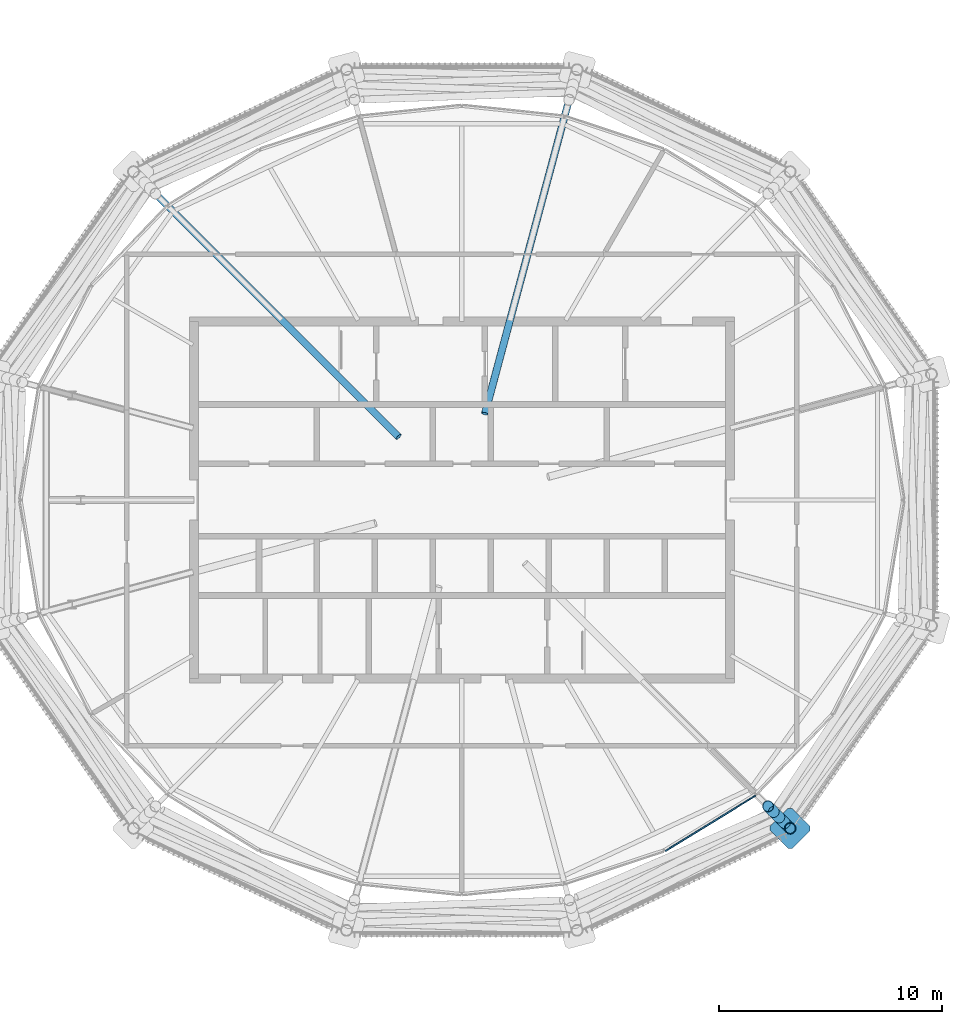
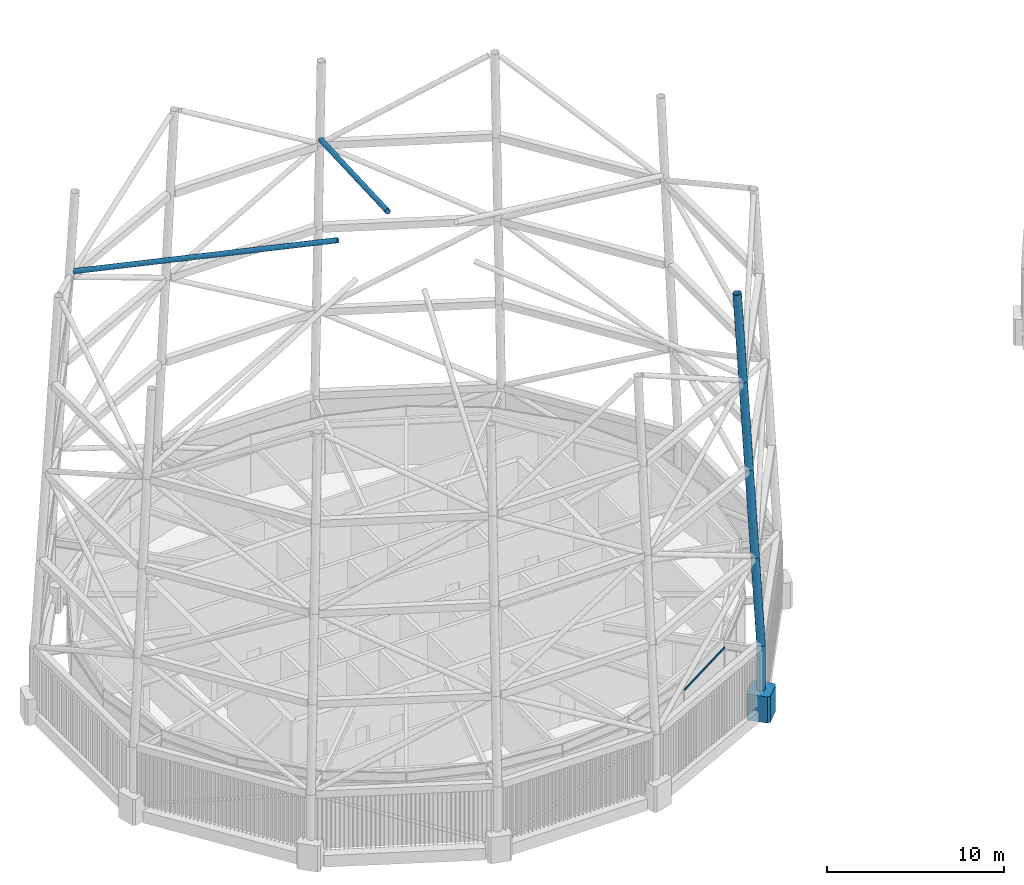
# One storey, part 18 of 71: 9 members, 1 element without a shape of its own.
"""IFC4 building model written with IfcOpenShell, lengths in metres."""

from ifc_helpers import new_model, si_unit, direction, frame, origin, origin_2d, place, context, subcontext, project, spatial, polyline, rectangle, hollow_circle, outline, extrude, material, material_profile, profile_set, type_object, element, aggregate, save


model = new_model("IFC4")

# Units and contexts
model_context = context("Model", 3, precision=1e-05, world=origin(), true_north=direction((0.0, 1.0)))
body_context = subcontext(model_context, "Body", "Model", "MODEL_VIEW")
ifc_project = project(units=[si_unit("LENGTHUNIT", "METRE"), si_unit("AREAUNIT", "SQUARE_METRE"), si_unit("VOLUMEUNIT", "CUBIC_METRE"), si_unit("PLANEANGLEUNIT", "RADIAN"), si_unit("MASSUNIT", "GRAM", prefix="KILO")], contexts=[model_context])

# Site, building, storey
site_placement = place(None, origin())
site = spatial("IfcSite", under=ifc_project, at=site_placement, CompositionType="ELEMENT")
building_placement = place(site_placement, origin())
building = spatial("IfcBuilding", under=site, at=building_placement, Name="Rimbun Link Towers", CompositionType="ELEMENT")
storey_placement = place(building_placement, frame((0.0, 0.0, 267.60009765625)))
storey = spatial("IfcBuildingStorey", under=building, at=storey_placement, Name="L65", CompositionType="ELEMENT", Elevation=267.60009765625)

# Curtain wall, member
ifc_material_1 = material(Name="Aluminium 6063-T6 louvre wall", Category="aluminium")
curtain_wall_type = type_object("IfcCurtainWallType", Name="CW6 plant floor louvre wall", PredefinedType="NOTDEFINED", material=ifc_material_1)
curtain_wall_placement = place(storey_placement, origin())
curtain_wall = element("IfcCurtainWall", 1, at=curtain_wall_placement, inside=storey, type_object=curtain_wall_type, Name="CW6 L65 T1", PredefinedType="NOTDEFINED")
ifc_material_2 = material(Name="Aluminium 6063-T6", Category="aluminium")
ifc_material_profile_1 = material_profile(ifc_material_2, rectangle(XDim=0.06005859375, YDim=0.1201171875, at=origin_2d()), Name="TRANSOM 60X120")
ifc_profile_set_1 = profile_set([ifc_material_profile_1], Name="Aluminium 6063-T6")
member_type_1 = type_object("IfcMemberType", Name="CW6 transom 60X120", PredefinedType="USERDEFINED", material=ifc_profile_set_1)
member_1_placement = place(storey_placement, frame((-18.597412109375, -13.236572265625, 3.39990234375), z_axis=(-0.852181297772, -0.523246629925, 0.0), x_axis=(0.523246629925, -0.852181297772, 0.0)))
member_1 = element("IfcMember", 2, at=member_1_placement, type_object=member_type_1, Name="CW6 transom", ObjectType="TRANSOM", PredefinedType="USERDEFINED", context=body_context, shape_type="SweptSolid", body=[
    extrude(rectangle(XDim=0.06005859375, YDim=0.1201171875, at=origin_2d()), origin(), (0.0, 0.0, 1.0), 4.740478515625),
])
aggregate(curtain_wall, [member_1])

# Members
ifc_material_3 = material(Name="Steel S355J2H", Category="steel")
ifc_material_profile_2 = material_profile(ifc_material_3, hollow_circle(Radius=0.161865234375, WallThickness=0.011962890625, at=origin_2d()), Name="Crown frame brace CHS 324x12")
ifc_profile_set_2 = profile_set([ifc_material_profile_2], Name="Steel S355J2H")
member_type_2 = type_object("IfcMemberType", Name="Crown frame brace CHS 324x12", PredefinedType="BRACE", material=ifc_profile_set_2)
member_2_placement = place(storey_placement, frame((-30.714599609375, 3.86376953125, 27.39990234375), z_axis=(0.245139401154, 0.914923506889, -0.320658152155), x_axis=(-0.965929419345, 0.258805635261, 0.0)))
element("IfcMember", 3, at=member_2_placement, inside=storey, type_object=member_type_2, Name="CROWN FRAME hub stay T1 02", PredefinedType="BRACE", context=body_context, shape_type="SweptSolid", body=[
    extrude(hollow_circle(Radius=0.161865234375, WallThickness=0.011962890625, at=origin_2d()), origin(), (0.0, 0.0, 1.0), 15.436767578125),
])
member_3_placement = place(storey_placement, frame((-34.578369140625, 2.828369140625, 27.39990234375), z_axis=(-0.673457411995, 0.673457411995, -0.304811791861), x_axis=(-0.707106781187, -0.707106781187, 0.0)))
element("IfcMember", 4, at=member_3_placement, inside=storey, type_object=member_type_2, Name="CROWN FRAME hub stay T1 04", PredefinedType="BRACE", context=body_context, shape_type="SweptSolid", body=[
    extrude(hollow_circle(Radius=0.161865234375, WallThickness=0.011962890625, at=origin_2d()), origin(), (0.0, 0.0, 1.0), 16.2392578125),
])
ifc_material_4 = material(Name="Steel S355J2H", Category="steel")
ifc_material_profile_3 = material_profile(ifc_material_4, hollow_circle(Radius=0.25390625, WallThickness=0.02001953125, at=origin_2d()), Name="Crown frame post CHS 508x20")
ifc_profile_set_3 = profile_set([ifc_material_profile_3], Name="Steel S355J2H")
member_type_3 = type_object("IfcMemberType", Name="Crown frame post CHS 508x20", PredefinedType="POST", material=ifc_profile_set_3)
member_4_placement = place(storey_placement, frame((-17.048828125, -14.701171875, 0.0), z_axis=(0.0, 0.0, 1.0), x_axis=(1.0, 0.0, 0.0)))
element("IfcMember", 5, at=member_4_placement, inside=storey, type_object=member_type_3, Name="CROWN FRAME post T1 1-10", PredefinedType="POST", context=body_context, shape_type="SweptSolid", body=[
    extrude(hollow_circle(Radius=0.25390625, WallThickness=0.02001953125, at=origin_2d()), origin(), (0.0, 0.0, 1.0), 4.0),
])
for number, where, z_axis, x_axis, name in (
    (6, (-17.048828125, -14.701171875, 4.0), (-0.041189705162, 0.041189705162, 0.99830196653), (-0.707106781187, -0.707106781187, 0.0), "CROWN FRAME post T1 2-10"),
    (7, (-17.29638671875, -14.45361328125, 10.0), (-0.041189705162, 0.041189705162, 0.99830196653), (-0.707106781187, -0.707106781187, 0.0), "CROWN FRAME post T1 3-10"),
    (8, (-17.5439453125, -14.2060546875, 16.0), (-0.041189705162, 0.041189705162, 0.99830196653), (-0.707106781187, -0.707106781187, 0.0), "CROWN FRAME post T1 4-10"),
    (9, (-17.79150390625, -13.95849609375, 22.0), (-0.041149221782, 0.041149221782, 0.998305305552), (-0.707106781187, -0.707106781187, 0.0), "CROWN FRAME post T1 5-10"),
):
    element("IfcMember", number, at=place(storey_placement, frame(where, z_axis=z_axis, x_axis=x_axis)), inside=storey, type_object=member_type_3, Name=name, PredefinedType="POST", context=body_context, shape_type="SweptSolid", body=[
        extrude(hollow_circle(Radius=0.25390625, WallThickness=0.02001953125, at=origin_2d()), origin(), (0.0, 0.0, 1.0), 6.01025390625),
    ])
ifc_material_5 = material(Name="Cast steel G20Mn5+QT, Rp0.2 300 MPa", Category="steel")
ifc_material_profile_4 = material_profile(ifc_material_5, outline(polyline([(0.699951171875, -0.570068359375), (0.699951171875, 0.570068359375), (0.570068359375, 0.699951171875), (-0.570068359375, 0.699951171875), (-0.699951171875, 0.570068359375), (-0.699951171875, -0.570068359375), (-0.570068359375, -0.699951171875), (0.570068359375, -0.699951171875), (0.699951171875, -0.570068359375)])), Name="NODE 1400x1400")
ifc_profile_set_4 = profile_set([ifc_material_profile_4], Name="Cast steel G20Mn5+QT, Rp0.2 300 MPa")
member_type_4 = type_object("IfcMemberType", Name="Diagrid node cast 1400", PredefinedType="USERDEFINED", material=ifc_profile_set_4)
member_5_placement = place(storey_placement, frame((-17.048828125, -14.701171875, -0.900146484375), z_axis=(0.0, 0.0, 1.0), x_axis=(0.707106781187, -0.707106781187, 0.0)))
element("IfcMember", 10, at=member_5_placement, inside=storey, type_object=member_type_4, Name="Diagrid node L65 21", ObjectType="Diagrid node", PredefinedType="USERDEFINED", context=body_context, shape_type="SweptSolid", body=[
    extrude(outline(polyline([(0.699951171875, -0.570068359375), (0.699951171875, 0.570068359375), (0.570068359375, 0.699951171875), (-0.570068359375, 0.699951171875), (-0.699951171875, 0.570068359375), (-0.699951171875, -0.570068359375), (-0.570068359375, -0.699951171875), (0.570068359375, -0.699951171875), (0.699951171875, -0.570068359375)])), origin(), (0.0, 0.0, 1.0), 1.800048828125),
])

save(model, "model.ifc")
